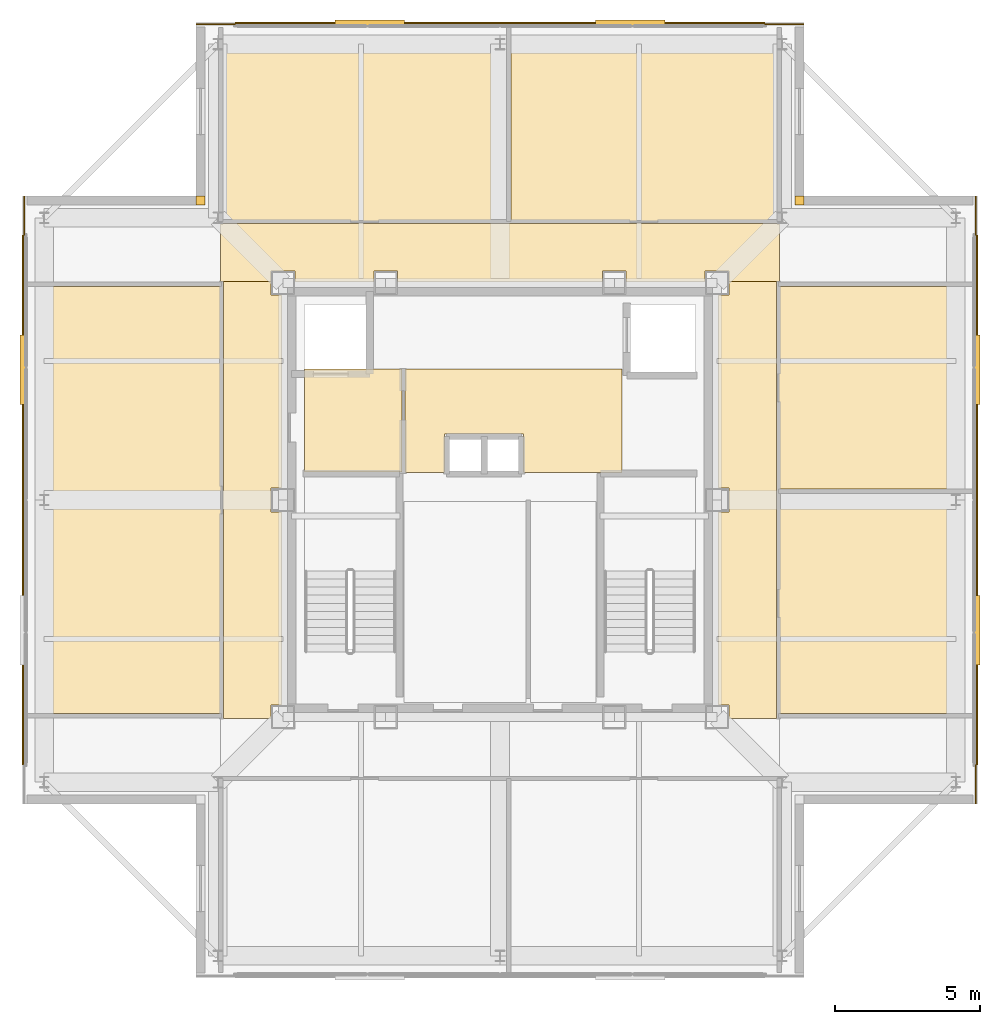
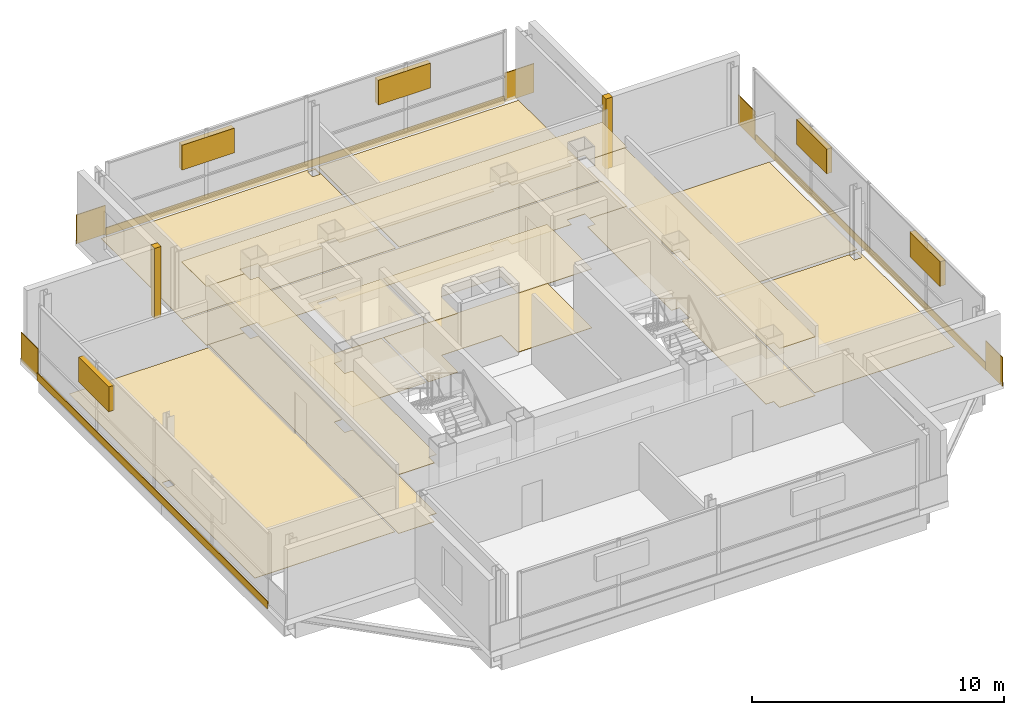
# One storey, part 11 of 11: 25 coverings, 5 shading devices.
"""IFC4 building model written with IfcOpenShell, lengths in metres."""

from ifc_helpers import new_model, si_unit, direction, frame, frame_2d, origin, origin_2d, place, context, subcontext, project, spatial, polyline, rectangle, outline, extrude, material, layer, layer_set, type_object, element, save


model = new_model("IFC4")

# Units and contexts
model_context = context("Model", 3, precision=1e-05, world=origin(), true_north=direction((0.0, 1.0)))
body_context = subcontext(model_context, "Body", "Model", "MODEL_VIEW")
ifc_project = project(units=[si_unit("LENGTHUNIT", "METRE"), si_unit("AREAUNIT", "SQUARE_METRE"), si_unit("VOLUMEUNIT", "CUBIC_METRE"), si_unit("PLANEANGLEUNIT", "RADIAN"), si_unit("MASSUNIT", "GRAM", prefix="KILO")], contexts=[model_context])

# Site, building, storey
site_placement = place(None, origin())
site = spatial("IfcSite", under=ifc_project, at=site_placement, CompositionType="ELEMENT")
building_placement = place(site_placement, origin())
building = spatial("IfcBuilding", under=site, at=building_placement, Name="Trevonay Congress Spire", CompositionType="ELEMENT")
storey_placement = place(building_placement, frame((0.0, 0.0, 312.199951171875)))
storey = spatial("IfcBuildingStorey", under=building, at=storey_placement, Name="L82", CompositionType="ELEMENT", Elevation=312.199951171875)

# Coverings
ifc_material_1 = material(Name="Acoustic Mineral Fibre Board", Category="gypsum")
ifc_layer_1 = layer(ifc_material_1, 0.02490234375, Name="Acoustic Mineral Fibre Board")
ifc_layer_set_1 = layer_set([ifc_layer_1], Name="Acoustic Mineral Fibre Board")
covering_type_1 = type_object("IfcCoveringType", Name="COV-CEIL-ACOUSTIC", PredefinedType="CEILING", material=ifc_layer_set_1)
covering_1_placement = place(storey_placement, frame((0.0, 0.0, 2.85009765625)))
element("IfcCovering", 1, at=covering_1_placement, inside=storey, type_object=covering_type_1, Name="L82 Firefighting Lift Lobby West acoustic suspended ceiling", PredefinedType="CEILING", context=body_context, shape_type="SweptSolid", body=[
    extrude(outline(polyline([(-6.75, 0.9599609375), (-3.3798828125, 0.9599609375), (-3.3798828125, 4.52001953125), (-6.75, 4.52001953125), (-6.75, 0.9599609375)])), origin(), (0.0, 0.0, 1.0), 0.02490234375),
])
covering_2_placement = place(storey_placement, frame((0.0, 0.0, 2.85009765625)))
element("IfcCovering", 2, at=covering_2_placement, inside=storey, type_object=covering_type_1, Name="L82 Central and High-Rise Passenger Lift Lobby acoustic suspended ceiling", PredefinedType="CEILING", context=body_context, shape_type="SweptSolid", body=[
    extrude(outline(polyline([(-3.280029296875, 0.949951171875), (-1.919921875, 0.949951171875), (-1.919921875, 2.280029296875), (0.820068359375, 2.280029296875), (0.820068359375, 0.949951171875), (4.219970703125, 0.949951171875), (4.219970703125, 4.52001953125), (-3.280029296875, 4.52001953125), (-3.280029296875, 0.949951171875)])), origin(), (0.0, 0.0, 1.0), 0.02490234375),
])
covering_3_placement = place(storey_placement, frame((0.0, 0.0, 2.85009765625)))
element("IfcCovering", 3, at=covering_3_placement, inside=storey, type_object=covering_type_1, Name="L82 Crown Gallery Corridor North acoustic suspended ceiling", PredefinedType="CEILING", context=body_context, shape_type="SweptSolid", body=[
    extrude(outline(polyline([(-9.64990234375, 7.550048828125), (-9.64990234375, 9.54345703125), (-9.570068359375, 9.54345703125), (-9.570068359375, 9.550048828125), (9.570068359375, 9.550048828125), (9.570068359375, 9.54345703125), (9.64990234375, 9.54345703125), (9.64990234375, 7.550048828125), (7.909912109375, 7.550048828125), (7.909912109375, 7.909912109375), (7.090087890625, 7.909912109375), (7.090087890625, 7.550048828125), (4.360107421875, 7.550048828125), (4.360107421875, 7.909912109375), (3.5400390625, 7.909912109375), (3.5400390625, 7.550048828125), (-3.5400390625, 7.550048828125), (-3.5400390625, 7.909912109375), (-4.360107421875, 7.909912109375), (-4.360107421875, 7.550048828125), (-7.090087890625, 7.550048828125), (-7.090087890625, 7.909912109375), (-7.909912109375, 7.909912109375), (-7.909912109375, 7.550048828125), (-9.64990234375, 7.550048828125)])), origin(), (0.0, 0.0, 1.0), 0.02490234375),
])
covering_4_placement = place(storey_placement, frame((0.0, 0.0, 2.85009765625)))
element("IfcCovering", 4, at=covering_4_placement, inside=storey, type_object=covering_type_1, Name="L82 Crown Gallery Corridor West acoustic suspended ceiling", PredefinedType="CEILING", context=body_context, shape_type="SweptSolid", body=[
    extrude(outline(polyline([(-9.550048828125, 7.550048828125), (-7.909912109375, 7.550048828125), (-7.909912109375, 7.090087890625), (-7.550048828125, 7.090087890625), (-7.550048828125, 0.409912109375), (-7.909912109375, 0.409912109375), (-7.909912109375, -0.409912109375), (-7.550048828125, -0.409912109375), (-7.550048828125, -7.090087890625), (-7.909912109375, -7.090087890625), (-7.909912109375, -7.550048828125), (-9.550048828125, -7.550048828125), (-9.550048828125, 7.550048828125)])), origin(), (0.0, 0.0, 1.0), 0.02490234375),
])
covering_5_placement = place(storey_placement, frame((0.0, 0.0, 2.85009765625)))
element("IfcCovering", 5, at=covering_5_placement, inside=storey, type_object=covering_type_1, Name="L82 Crown Gallery Corridor East acoustic suspended ceiling", PredefinedType="CEILING", context=body_context, shape_type="SweptSolid", body=[
    extrude(outline(polyline([(9.550048828125, -7.550048828125), (7.909912109375, -7.550048828125), (7.909912109375, -7.090087890625), (7.550048828125, -7.090087890625), (7.550048828125, -0.409912109375), (7.909912109375, -0.409912109375), (7.909912109375, 0.409912109375), (7.550048828125, 0.409912109375), (7.550048828125, 7.090087890625), (7.909912109375, 7.090087890625), (7.909912109375, 7.550048828125), (9.550048828125, 7.550048828125), (9.550048828125, -7.550048828125)])), origin(), (0.0, 0.0, 1.0), 0.02490234375),
])
ifc_material_2 = material(Name="Polished Granite Floor Tile", Category="masonry")
ifc_layer_2 = layer(ifc_material_2, 0.02001953125, Name="Polished Granite Floor Tile")
ifc_layer_set_2 = layer_set([ifc_layer_2], Name="Polished Granite Floor Tile")
covering_type_2 = type_object("IfcCoveringType", Name="COV-FLOOR-STONE", PredefinedType="FLOORING", material=ifc_layer_set_2)
covering_6_placement = place(storey_placement, origin())
element("IfcCovering", 6, at=covering_6_placement, inside=storey, type_object=covering_type_2, Name="L82 Firefighting Lift Lobby West floor finish", PredefinedType="FLOORING", context=body_context, shape_type="SweptSolid", body=[
    extrude(outline(polyline([(-6.75, 0.9599609375), (-3.3798828125, 0.9599609375), (-3.3798828125, 4.52001953125), (-6.75, 4.52001953125), (-6.75, 0.9599609375)])), origin(), (0.0, 0.0, 1.0), 0.02001953125),
])
covering_7_placement = place(storey_placement, origin())
element("IfcCovering", 7, at=covering_7_placement, inside=storey, type_object=covering_type_2, Name="L82 Central and High-Rise Passenger Lift Lobby floor finish", PredefinedType="FLOORING", context=body_context, shape_type="SweptSolid", body=[
    extrude(outline(polyline([(-3.280029296875, 0.949951171875), (-1.919921875, 0.949951171875), (-1.919921875, 2.280029296875), (0.820068359375, 2.280029296875), (0.820068359375, 0.949951171875), (4.219970703125, 0.949951171875), (4.219970703125, 4.52001953125), (-3.280029296875, 4.52001953125), (-3.280029296875, 0.949951171875)])), origin(), (0.0, 0.0, 1.0), 0.02001953125),
])
covering_8_placement = place(storey_placement, origin())
element("IfcCovering", 8, at=covering_8_placement, inside=storey, type_object=covering_type_2, Name="L82 Crown Gallery Corridor North floor finish", PredefinedType="FLOORING", context=body_context, shape_type="SweptSolid", body=[
    extrude(outline(polyline([(-9.64990234375, 7.550048828125), (-9.64990234375, 9.54345703125), (-9.570068359375, 9.54345703125), (-9.570068359375, 9.550048828125), (9.570068359375, 9.550048828125), (9.570068359375, 9.54345703125), (9.64990234375, 9.54345703125), (9.64990234375, 7.550048828125), (7.909912109375, 7.550048828125), (7.909912109375, 7.909912109375), (7.090087890625, 7.909912109375), (7.090087890625, 7.550048828125), (4.360107421875, 7.550048828125), (4.360107421875, 7.909912109375), (3.5400390625, 7.909912109375), (3.5400390625, 7.550048828125), (-3.5400390625, 7.550048828125), (-3.5400390625, 7.909912109375), (-4.360107421875, 7.909912109375), (-4.360107421875, 7.550048828125), (-7.090087890625, 7.550048828125), (-7.090087890625, 7.909912109375), (-7.909912109375, 7.909912109375), (-7.909912109375, 7.550048828125), (-9.64990234375, 7.550048828125)])), origin(), (0.0, 0.0, 1.0), 0.02001953125),
])
covering_9_placement = place(storey_placement, origin())
element("IfcCovering", 9, at=covering_9_placement, inside=storey, type_object=covering_type_2, Name="L82 Crown Gallery Corridor West floor finish", PredefinedType="FLOORING", context=body_context, shape_type="SweptSolid", body=[
    extrude(outline(polyline([(-9.550048828125, 7.550048828125), (-7.909912109375, 7.550048828125), (-7.909912109375, 7.090087890625), (-7.550048828125, 7.090087890625), (-7.550048828125, 0.409912109375), (-7.909912109375, 0.409912109375), (-7.909912109375, -0.409912109375), (-7.550048828125, -0.409912109375), (-7.550048828125, -7.090087890625), (-7.909912109375, -7.090087890625), (-7.909912109375, -7.550048828125), (-9.550048828125, -7.550048828125), (-9.550048828125, 7.550048828125)])), origin(), (0.0, 0.0, 1.0), 0.02001953125),
])
covering_10_placement = place(storey_placement, origin())
element("IfcCovering", 10, at=covering_10_placement, inside=storey, type_object=covering_type_2, Name="L82 Crown Gallery Corridor East floor finish", PredefinedType="FLOORING", context=body_context, shape_type="SweptSolid", body=[
    extrude(outline(polyline([(9.550048828125, -7.550048828125), (7.909912109375, -7.550048828125), (7.909912109375, -7.090087890625), (7.550048828125, -7.090087890625), (7.550048828125, -0.409912109375), (7.909912109375, -0.409912109375), (7.909912109375, 0.409912109375), (7.550048828125, 0.409912109375), (7.550048828125, 7.090087890625), (7.909912109375, 7.090087890625), (7.909912109375, 7.550048828125), (9.550048828125, 7.550048828125), (9.550048828125, -7.550048828125)])), origin(), (0.0, 0.0, 1.0), 0.02001953125),
])
covering_11_placement = place(storey_placement, origin())
element("IfcCovering", 11, at=covering_11_placement, inside=storey, type_object=covering_type_2, Name="L82 Upper AHU Heat-Recovery Plant floor finish", PredefinedType="FLOORING", context=body_context, shape_type="SweptSolid", body=[
    extrude(outline(polyline([(-9.570068359375, 16.050048828125), (0.219970703125, 16.050048828125), (0.219970703125, 9.6201171875), (-9.570068359375, 9.6201171875), (-9.570068359375, 9.95654296875), (-9.570068359375, 16.050048828125)]), holes=[polyline([(-0.1708984375, 15.553955078125), (0.1708984375, 15.553955078125), (0.1708984375, 15.946044921875), (-0.1708984375, 15.946044921875), (-0.1708984375, 15.553955078125)])]), origin(), (0.0, 0.0, 1.0), 0.02001953125),
])
covering_12_placement = place(storey_placement, origin())
element("IfcCovering", 12, at=covering_12_placement, inside=storey, type_object=covering_type_2, Name="L82 Smoke Extract Fan Plant floor finish", PredefinedType="FLOORING", context=body_context, shape_type="SweptSolid", body=[
    extrude(outline(polyline([(0.3798828125, 9.6201171875), (0.3798828125, 16.050048828125), (9.570068359375, 16.050048828125), (9.570068359375, 9.95654296875), (9.570068359375, 9.6201171875), (0.3798828125, 9.6201171875)])), origin(), (0.0, 0.0, 1.0), 0.02001953125),
])
covering_13_placement = place(storey_placement, origin())
element("IfcCovering", 13, at=covering_13_placement, inside=storey, type_object=covering_type_2, Name="L82 High-Zone Lift Machine Plant floor finish", PredefinedType="FLOORING", context=body_context, shape_type="SweptSolid", body=[
    extrude(outline(polyline([(-16.050048828125, 7.3701171875), (-9.6201171875, 7.3701171875), (-9.6201171875, -7.3701171875), (-16.050048828125, -7.3701171875), (-16.050048828125, 7.3701171875)]), holes=[polyline([(-15.5791015625, -0.196044921875), (-15.5791015625, 0.196044921875), (-15.9208984375, 0.196044921875), (-15.9208984375, -0.196044921875), (-15.5791015625, -0.196044921875)])]), origin(), (0.0, 0.0, 1.0), 0.02001953125),
])
covering_14_placement = place(storey_placement, origin())
element("IfcCovering", 14, at=covering_14_placement, inside=storey, type_object=covering_type_2, Name="L82 Crown BMS Switchboard Plant floor finish", PredefinedType="FLOORING", context=body_context, shape_type="SweptSolid", body=[
    extrude(outline(polyline([(9.6201171875, 0.219970703125), (16.050048828125, 0.219970703125), (16.050048828125, -7.3701171875), (9.6201171875, -7.3701171875), (9.6201171875, 0.219970703125)]), holes=[polyline([(15.9208984375, -0.196044921875), (15.9208984375, 0.196044921875), (15.5791015625, 0.196044921875), (15.5791015625, -0.196044921875), (15.9208984375, -0.196044921875)])]), origin(), (0.0, 0.0, 1.0), 0.02001953125),
])
covering_15_placement = place(storey_placement, origin())
element("IfcCovering", 15, at=covering_15_placement, inside=storey, type_object=covering_type_2, Name="L82 Pressurization Fan Plant floor finish", PredefinedType="FLOORING", context=body_context, shape_type="SweptSolid", body=[
    extrude(outline(polyline([(9.6201171875, 0.3798828125), (16.050048828125, 0.3798828125), (16.050048828125, 7.3701171875), (9.6201171875, 7.3701171875), (9.6201171875, 0.3798828125)])), origin(), (0.0, 0.0, 1.0), 0.02001953125),
])
ifc_material_3 = material(Name="Pale Anodised Aluminium EN AW-6063-T6", Category="aluminium")
ifc_layer_3 = layer(ifc_material_3, 0.0400390625, Name="Pale Anodised Aluminium EN AW-6063-T6")
ifc_layer_set_3 = layer_set([ifc_layer_3], Name="Pale Anodised Aluminium EN AW-6063-T6")
covering_type_3 = type_object("IfcCoveringType", Name="COV-SPANDREL-PALE-METAL", PredefinedType="CLADDING", material=ifc_layer_set_3)
for number, where, z_axis, x_axis, name in (
    (16, (-9.14990234375, 16.47998046875, -0.239990234375), (0.0, 0.0, 1.0), (1.0, 0.0, 0.0), "L82 N pale-metal slab-edge spandrel cladding"),
    (17, (-16.47998046875, -9.14990234375, -0.239990234375), (0.0, 0.0, 1.0), (0.0, 1.0, 0.0), "L82 W pale-metal slab-edge spandrel cladding"),
    (18, (16.47998046875, -9.14990234375, -0.239990234375), (0.0, 0.0, 1.0), (0.0, 1.0, 0.0), "L82 E pale-metal slab-edge spandrel cladding"),
):
    element("IfcCovering", number, at=place(storey_placement, frame(where, z_axis=z_axis, x_axis=x_axis)), inside=storey, type_object=covering_type_3, Name=name, PredefinedType="CLADDING", context=body_context, shape_type="SweptSolid", body=[
        extrude(rectangle(XDim=18.2998046875, YDim=0.0400390625, at=frame_2d((9.14990234375, 0.0))), origin(), (0.0, 0.0, 1.0), 0.360107421875),
    ])
covering_16_placement = place(storey_placement, frame((16.43994140625, -9.14990234375, -0.14990234375), z_axis=(0.0, 0.0, 1.0), x_axis=(0.0, -1.0, 0.0)))
element("IfcCovering", 19, at=covering_16_placement, inside=storey, type_object=covering_type_3, Name="L82 SE corner pier spandrel cladding 1", PredefinedType="CLADDING", context=body_context, shape_type="SweptSolid", body=[
    extrude(rectangle(XDim=1.35009765625, YDim=0.0400390625, at=frame_2d((0.675048828125, 0.0))), origin(), (0.0, 0.0, 1.0), 1.39990234375),
])
covering_17_placement = place(storey_placement, origin())
element("IfcCovering", 20, at=covering_17_placement, inside=storey, type_object=covering_type_3, Name="L82 NE re-entrant notch corner closure trim", PredefinedType="CLADDING", context=body_context, shape_type="SweptSolid", body=[
    extrude(outline(polyline([(10.199951171875, 10.199951171875), (10.5, 10.199951171875), (10.5, 10.5), (10.199951171875, 10.5), (10.199951171875, 10.199951171875)])), origin(), (0.0, 0.0, 1.0), 3.400146484375),
])
for number, where, z_axis, x_axis, name in (
    (21, (16.43994140625, 9.14990234375, -0.14990234375), (0.0, 0.0, 1.0), (0.0, 1.0, 0.0), "L82 NE corner pier spandrel cladding 1"),
    (22, (9.14990234375, 16.43994140625, -0.14990234375), (0.0, 0.0, 1.0), (1.0, 0.0, 0.0), "L82 NE corner pier spandrel cladding 2"),
):
    element("IfcCovering", number, at=place(storey_placement, frame(where, z_axis=z_axis, x_axis=x_axis)), inside=storey, type_object=covering_type_3, Name=name, PredefinedType="CLADDING", context=body_context, shape_type="SweptSolid", body=[
        extrude(rectangle(XDim=1.35009765625, YDim=0.0400390625, at=frame_2d((0.675048828125, 0.0))), origin(), (0.0, 0.0, 1.0), 1.39990234375),
    ])
covering_18_placement = place(storey_placement, origin())
element("IfcCovering", 23, at=covering_18_placement, inside=storey, type_object=covering_type_3, Name="L82 NW re-entrant notch corner closure trim", PredefinedType="CLADDING", context=body_context, shape_type="SweptSolid", body=[
    extrude(outline(polyline([(-10.5, 10.199951171875), (-10.199951171875, 10.199951171875), (-10.199951171875, 10.5), (-10.5, 10.5), (-10.5, 10.199951171875)])), origin(), (0.0, 0.0, 1.0), 3.400146484375),
])
for number, where, z_axis, x_axis, name in (
    (24, (-16.43994140625, 9.14990234375, -0.14990234375), (0.0, 0.0, 1.0), (0.0, 1.0, 0.0), "L82 NW corner pier spandrel cladding 1"),
    (25, (-9.14990234375, 16.43994140625, -0.14990234375), (0.0, 0.0, 1.0), (-1.0, 0.0, 0.0), "L82 NW corner pier spandrel cladding 2"),
):
    element("IfcCovering", number, at=place(storey_placement, frame(where, z_axis=z_axis, x_axis=x_axis)), inside=storey, type_object=covering_type_3, Name=name, PredefinedType="CLADDING", context=body_context, shape_type="SweptSolid", body=[
        extrude(rectangle(XDim=1.35009765625, YDim=0.0400390625, at=frame_2d((0.675048828125, 0.0))), origin(), (0.0, 0.0, 1.0), 1.39990234375),
    ])

# Shading devices
shading_device_type = type_object("IfcShadingDeviceType", Name="SHD-LOUVRE-PLANT-ALUM", PredefinedType="USERDEFINED", material=ifc_material_3)
for number, where, z_axis, x_axis, name in (
    (26, (-4.5, 16.4599609375, 1.80029296875), (0.0, 0.0, 1.0), (1.0, 0.0, 0.0), "L82 N crown plant intake louvre 1"),
    (27, (4.5, 16.4599609375, 1.80029296875), (0.0, 0.0, 1.0), (1.0, 0.0, 0.0), "L82 N crown plant intake louvre 2"),
    (28, (-16.4599609375, 4.5, 1.80029296875), (0.0, 0.0, 1.0), (0.0, 1.0, 0.0), "L82 W crown plant intake louvre 2"),
    (29, (16.4599609375, -4.5, 1.80029296875), (0.0, 0.0, 1.0), (0.0, 1.0, 0.0), "L82 E crown plant intake louvre 1"),
    (30, (16.4599609375, 4.5, 1.80029296875), (0.0, 0.0, 1.0), (0.0, 1.0, 0.0), "L82 E crown plant intake louvre 2"),
):
    element("IfcShadingDevice", number, at=place(storey_placement, frame(where, z_axis=z_axis, x_axis=x_axis)), inside=storey, type_object=shading_device_type, Name=name, ObjectType="LOUVRE", PredefinedType="USERDEFINED", context=body_context, shape_type="SweptSolid", body=[
        extrude(rectangle(XDim=2.39990234375, YDim=0.25, at=origin_2d()), origin(), (0.0, 0.0, 1.0), 1.199951171875),
    ])

save(model, "model.ifc")
